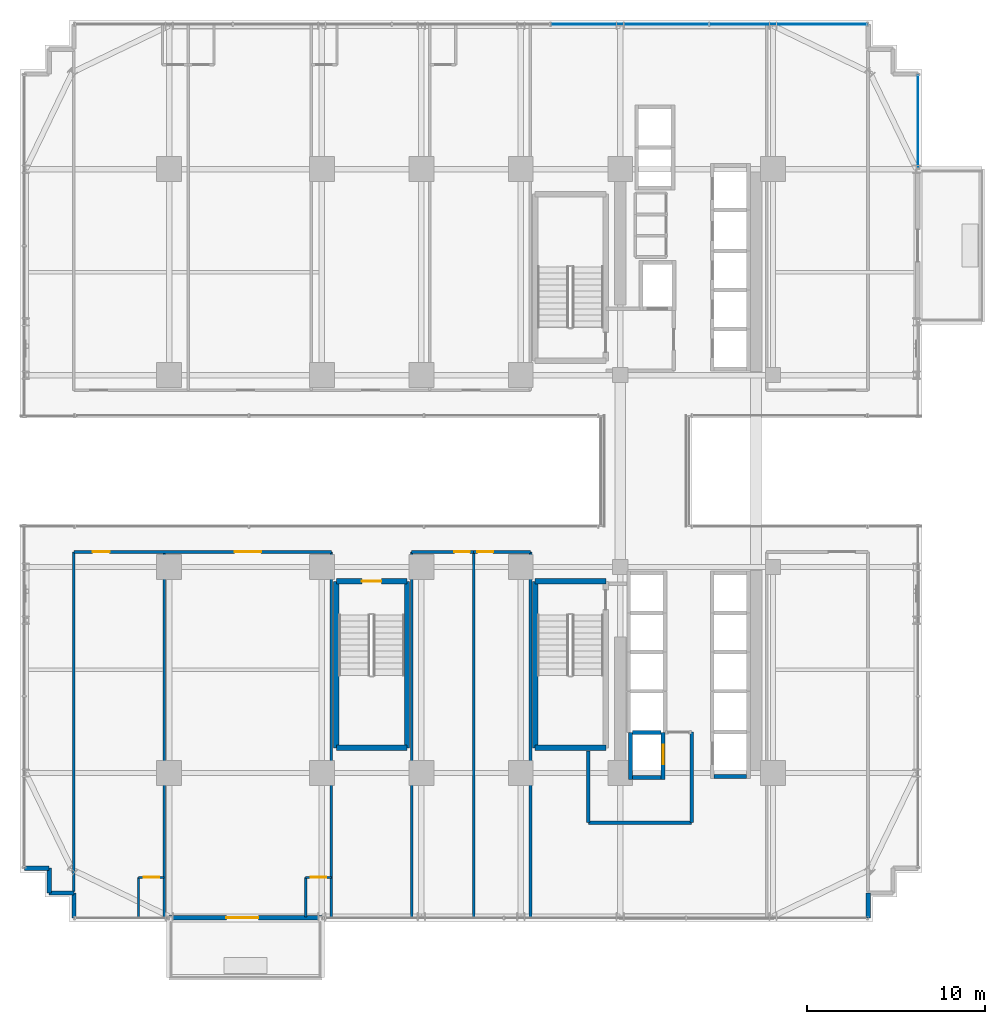
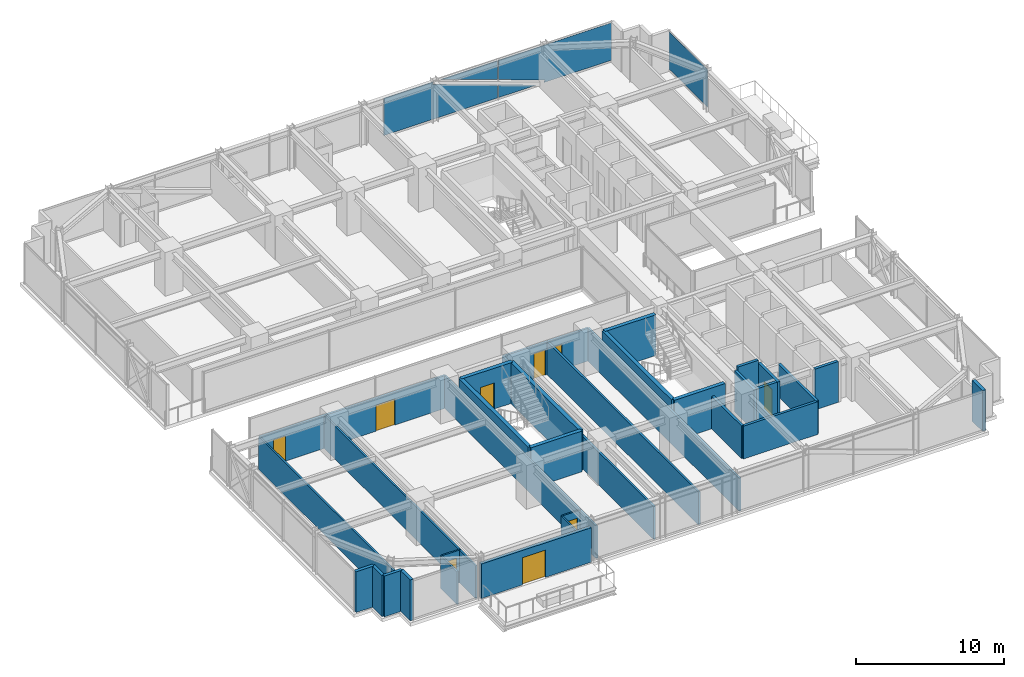
# One storey, part 29 of 35: 34 walls, 9 doors, 3 plates, 9 openings, 2 elements without a shape of their own.
"""IFC4 building model written with IfcOpenShell, lengths in metres."""

from ifc_helpers import new_model, si_unit, direction, frame, frame_2d, origin, origin_2d, place, context, subcontext, project, spatial, polyline, rectangle, outline, extrude, source, transform, mapped, material, layer, layer_set, type_object, element, fill, aggregate, save


model = new_model("IFC4")

# Units and contexts
model_context = context("Model", 3, precision=1e-05, world=origin(), true_north=direction((0.0, 1.0)))
body_context = subcontext(model_context, "Body", "Model", "MODEL_VIEW")
ifc_project = project(units=[si_unit("LENGTHUNIT", "METRE"), si_unit("AREAUNIT", "SQUARE_METRE"), si_unit("VOLUMEUNIT", "CUBIC_METRE"), si_unit("PLANEANGLEUNIT", "RADIAN"), si_unit("MASSUNIT", "GRAM", prefix="KILO")], contexts=[model_context])

# Site, building, storey
site_placement = place(None, origin())
site = spatial("IfcSite", under=ifc_project, at=site_placement, CompositionType="ELEMENT")
building_placement = place(site_placement, origin())
building = spatial("IfcBuilding", under=site, at=building_placement, Name="Nahalor Promenade Grand Hotel", CompositionType="ELEMENT")
storey_placement = place(building_placement, frame((0.0, 0.0, 43.35009765625)))
storey = spatial("IfcBuildingStorey", under=building, at=storey_placement, Name="L09", CompositionType="ELEMENT", Elevation=43.35009765625)

# Curtain wall, plates
ifc_material_1 = material(Name="Anodised Bronze Aluminium EN AW-6063 T6", Category="aluminium")
curtain_wall_type = type_object("IfcCurtainWallType", Name="CW3 Elliptical-Void Collar Unitised Curtain Wall", PredefinedType="USERDEFINED", material=ifc_material_1)
curtain_wall_1_placement = place(storey_placement, origin())
curtain_wall_1 = element("IfcCurtainWall", 1, at=curtain_wall_1_placement, inside=storey, type_object=curtain_wall_type, Name="L09 Curtain Wall CW-L09-N-1", ObjectType="UNITISED_CURTAIN_WALL", PredefinedType="USERDEFINED")
ifc_material_2 = material(Name="Low-E Laminated Solar Glass", Category="glass")
ifc_layer_1 = layer(ifc_material_2, 0.030029296875)
ifc_layer_set_1 = layer_set([ifc_layer_1], Name="Low-E Laminated Solar Glass")
plate_type = type_object("IfcPlateType", Name="CWP3 High-Wind Laminated Bronze IGU 30mm", PredefinedType="CURTAIN_PANEL", material=ifc_layer_set_1)
plate_1_placement = place(storey_placement, frame((8.944091796875, 25.159912109375, 0.1396484375), z_axis=(0.0, 0.0, 1.0), x_axis=(1.0, 0.0, 0.0)))
plate_1 = element("IfcPlate", 2, at=plate_1_placement, type_object=plate_type, Name="CW-L09-N-1 Glazing Panel 3-0", PredefinedType="CURTAIN_PANEL", context=body_context, shape_type="SweptSolid", body=[
    extrude(outline(polyline([(-4.43701171875, 0.0), (4.43701171875, 0.0), (4.43701171875, 1.089599609375), (-0.634765625, 2.900146484375), (-0.56689453125, 3.090087890625), (-4.43701171875, 3.090087890625), (-4.43701171875, 0.0)])), frame((0.0, 0.01513671875, 0.0), z_axis=(0.0, -1.0, 0.0), x_axis=(1.0, 0.0, 0.0)), (0.0, 0.0, 1.0), 0.030029296875),
    extrude(outline(polyline([(4.43701171875, 1.51416015625), (4.43701171875, 3.090087890625), (0.02294921875, 3.090087890625), (4.43701171875, 1.51416015625)])), frame((0.0, 0.01513671875, 0.0), z_axis=(0.0, -1.0, 0.0), x_axis=(1.0, 0.0, 0.0)), (0.0, 0.0, 1.0), 0.030029296875),
])
plate_2_placement = place(storey_placement, frame((17.87060546875, 25.159912109375, 0.1396484375), z_axis=(0.0, 0.0, 1.0), x_axis=(1.0, 0.0, 0.0)))
plate_2 = element("IfcPlate", 3, at=plate_2_placement, type_object=plate_type, Name="CW-L09-N-1 Glazing Panel 4-0", PredefinedType="CURTAIN_PANEL", context=body_context, shape_type="SweptSolid", body=[
    extrude(outline(polyline([(4.41943359375, 3.090087890625), (-4.41943359375, 3.090087890625), (-4.41943359375, 1.4892578125), (-0.77978515625, 0.18994140625), (-0.847412109375, 0.0), (4.41943359375, 0.0), (4.41943359375, 3.090087890625)])), frame((0.0, 0.01513671875, 0.0), z_axis=(0.0, -1.0, 0.0), x_axis=(1.0, 0.0, 0.0)), (0.0, 0.0, 1.0), 0.030029296875),
    extrude(outline(polyline([(-4.41943359375, 1.064453125), (-4.41943359375, 0.0), (-1.437255859375, 0.0), (-4.41943359375, 1.064453125)])), frame((0.0, 0.01513671875, 0.0), z_axis=(0.0, -1.0, 0.0), x_axis=(1.0, 0.0, 0.0)), (0.0, 0.0, 1.0), 0.030029296875),
])
aggregate(curtain_wall_1, [plate_1, plate_2])

# Curtain wall, plate
curtain_wall_2_placement = place(storey_placement, origin())
curtain_wall_2 = element("IfcCurtainWall", 4, at=curtain_wall_2_placement, inside=storey, type_object=curtain_wall_type, Name="L09 Curtain Wall CW-L09-E-4", ObjectType="UNITISED_CURTAIN_WALL", PredefinedType="USERDEFINED")
shared_shape_1 = source(origin(), body_context, "Body", "SweptSolid", [
    extrude(rectangle(XDim=5.219970703125, YDim=0.030029296875, at=origin_2d()), origin(), (0.0, 0.0, 1.0), 3.090087890625),
])
plate_3_placement = place(storey_placement, frame((25.159912109375, 19.679931640625, 0.1396484375), z_axis=(0.0, 0.0, 1.0), x_axis=(0.0, 1.0, 0.0)))
plate_3 = element("IfcPlate", 5, at=plate_3_placement, type_object=plate_type, Name="CW-L09-E-4 Glazing Panel 0-0", PredefinedType="CURTAIN_PANEL", context=body_context, shape_type="MappedRepresentation", body=[
    mapped(shared_shape_1, transform((0.0, 0.0, 0.0), scale=1.0)),
])
aggregate(curtain_wall_2, [plate_3])

# Walls
ifc_material_3 = material(Name="Concrete B-50 (C40/50)", Category="concrete")
ifc_layer_2 = layer(ifc_material_3, 0.300048828125)
ifc_layer_set_2 = layer_set([ifc_layer_2], Name="Concrete B-50 (C40/50)")
wall_type_1 = type_object("IfcWallType", Name="Wall-ShaftShear-300", PredefinedType="SHEAR", material=ifc_layer_set_2)
shared_shape_2 = source(origin(), body_context, "Body", "SweptSolid", [
    extrude(rectangle(XDim=3.97998046875, YDim=0.300048828125, at=frame_2d((1.989990234375, 0.0))), origin(), (0.0, 0.0, 1.0), 3.369873046875),
])
for number, where, z_axis, x_axis, name in (
    (6, (3.610107421875, -15.590087890625, 0.0), (0.0, 0.0, 1.0), (1.0, 0.0, 0.0), "L09 Exit Stair ST2 Shaft Wall S"),
    (7, (3.610107421875, -6.2099609375, 0.0), (0.0, 0.0, 1.0), (1.0, 0.0, 0.0), "L09 Exit Stair ST2 Shaft Wall N"),
    (8, (-7.590087890625, -15.590087890625, 0.0), (0.0, 0.0, 1.0), (1.0, 0.0, 0.0), "L09 Exit Stair ST3 Shaft Wall S"),
):
    element("IfcWall", number, at=place(storey_placement, frame(where, z_axis=z_axis, x_axis=x_axis)), inside=storey, type_object=wall_type_1, Name=name, PredefinedType="SHEAR", context=body_context, shape_type="MappedRepresentation", body=[
        mapped(shared_shape_2, transform((0.0, 0.0, 0.0), scale=1.0)),
    ])

# Wall, opening, door
wall_1_placement = place(storey_placement, frame((-7.590087890625, -6.2099609375, 0.0), z_axis=(0.0, 0.0, 1.0), x_axis=(1.0, 0.0, 0.0)))
wall_1 = element("IfcWall", 9, at=wall_1_placement, inside=storey, type_object=wall_type_1, Name="L09 Exit Stair ST3 Shaft Wall N", PredefinedType="SHEAR", context=body_context, shape_type="MappedRepresentation", body=[
    mapped(shared_shape_2, transform((0.0, 0.0, 0.0), scale=1.0)),
])
opening_1_placement = place(wall_1_placement, frame((1.43994140625, 0.0, 0.0)))
opening_1 = element("IfcOpeningElement", 10, at=opening_1_placement, cuts=wall_1, Name="Opening D-ST1", PredefinedType="OPENING", context=body_context, shape_type="SweptSolid", body=[
    extrude(rectangle(XDim=1.10009765625, YDim=2.14990234375, at=frame_2d((0.550048828125, 1.074951171875))), frame((0.0, 0.159912109375, 0.0), z_axis=(0.0, -1.0, 0.0), x_axis=(1.0, 0.0, 0.0)), (0.0, 0.0, 1.0), 0.320068359375),
])
ifc_material_4 = material(Name="Steel S355JR", Category="steel")
door_type_1 = type_object("IfcDoorType", Name="Door-StairFire-1100", OperationType="NOTDEFINED", PredefinedType="DOOR", material=ifc_material_4)
shared_shape_3 = source(origin(), body_context, "Body", "SweptSolid", [
    extrude(rectangle(XDim=1.10009765625, YDim=2.14990234375, at=frame_2d((0.550048828125, 1.074951171875))), frame((0.0, 0.02490234375, 0.0), z_axis=(0.0, -1.0, 0.0), x_axis=(1.0, 0.0, 0.0)), (0.0, 0.0, 1.0), 0.050048828125),
])
door_1_placement = place(opening_1_placement, frame((1.10009765625, 0.0, 0.0), z_axis=(0.0, 0.0, 1.0), x_axis=(-1.0, 0.0, 0.0)))
door_1 = element("IfcDoor", 11, at=door_1_placement, inside=storey, type_object=door_type_1, Name="DR-STAIR-ST3-L09", OperationType="SINGLE_SWING_RIGHT", OverallHeight=2.14990234375, OverallWidth=1.10009765625, PredefinedType="DOOR", context=body_context, shape_type="MappedRepresentation", body=[
    mapped(shared_shape_3, transform((0.0, 0.0, 0.0), scale=1.0)),
])
fill(opening_1, door_1)

# Walls
shared_shape_4 = source(origin(), body_context, "Body", "SweptSolid", [
    extrude(rectangle(XDim=9.380126953125, YDim=0.300048828125, at=frame_2d((4.68994140625, 0.0))), origin(), (0.0, 0.0, 1.0), 3.369873046875),
])
for number, where, z_axis, x_axis, name in (
    (12, (3.610107421875, -15.590087890625, 0.0), (0.0, 0.0, 1.0), (0.0, 1.0, 0.0), "L09 Exit Stair ST2 Shaft Wall W"),
    (13, (-7.590087890625, -15.590087890625, 0.0), (0.0, 0.0, 1.0), (0.0, 1.0, 0.0), "L09 Exit Stair ST3 Shaft Wall W"),
    (14, (-3.610107421875, -15.590087890625, 0.0), (0.0, 0.0, 1.0), (0.0, 1.0, 0.0), "L09 Exit Stair ST3 Shaft Wall E"),
):
    element("IfcWall", number, at=place(storey_placement, frame(where, z_axis=z_axis, x_axis=x_axis)), inside=storey, type_object=wall_type_1, Name=name, PredefinedType="SHEAR", context=body_context, shape_type="MappedRepresentation", body=[
        mapped(shared_shape_4, transform((0.0, 0.0, 0.0), scale=1.0)),
    ])
ifc_layer_3 = layer(ifc_material_3, 0.219970703125)
ifc_layer_set_3 = layer_set([ifc_layer_3], Name="Concrete B-50 (C40/50)")
wall_type_2 = type_object("IfcWallType", Name="Wall-LiftShaft-220", PredefinedType="SHEAR", material=ifc_layer_set_3)
shared_shape_5 = source(origin(), body_context, "Body", "SweptSolid", [
    extrude(rectangle(XDim=1.820068359375, YDim=0.219970703125, at=frame_2d((0.91015625, 0.0))), origin(), (0.0, 0.0, 1.0), 3.369873046875),
])
wall_2_placement = place(storey_placement, frame((13.68994140625, -17.199951171875, 0.0), z_axis=(0.0, 0.0, 1.0), x_axis=(1.0, 0.0, 0.0)))
element("IfcWall", 15, at=wall_2_placement, inside=storey, type_object=wall_type_2, Name="L09 Lift SV2 Hoistway Wall S", PredefinedType="SHEAR", context=body_context, shape_type="MappedRepresentation", body=[
    mapped(shared_shape_5, transform((0.0, 0.0, 0.0), scale=1.0)),
])
shared_shape_6 = source(origin(), body_context, "Body", "SweptSolid", [
    extrude(rectangle(XDim=2.635009765625, YDim=0.219970703125, at=frame_2d((1.3173828125, 0.0))), origin(), (0.0, 0.0, 1.0), 3.369873046875),
])
wall_3_placement = place(storey_placement, frame((8.97998046875, -17.360107421875, 0.0), z_axis=(0.0, 0.0, 1.0), x_axis=(0.0, 1.0, 0.0)))
element("IfcWall", 16, at=wall_3_placement, inside=storey, type_object=wall_type_2, Name="L09 Lift FL2 Hoistway Wall W", PredefinedType="SHEAR", context=body_context, shape_type="MappedRepresentation", body=[
    mapped(shared_shape_6, transform((0.0, 0.0, 0.0), scale=1.0)),
])

# Wall, opening, door
wall_4_placement = place(storey_placement, frame((10.820068359375, -17.360107421875, 0.0), z_axis=(0.0, 0.0, 1.0), x_axis=(0.0, 1.0, 0.0)))
wall_4 = element("IfcWall", 17, at=wall_4_placement, inside=storey, type_object=wall_type_2, Name="L09 Lift FL2 Hoistway Wall E", PredefinedType="SHEAR", context=body_context, shape_type="MappedRepresentation", body=[
    mapped(shared_shape_6, transform((0.0, 0.0, 0.0), scale=1.0)),
])
opening_2_placement = place(wall_4_placement, frame((0.860107421875, 0.0, 0.0)))
opening_2 = element("IfcOpeningElement", 18, at=opening_2_placement, cuts=wall_4, Name="Opening LD-02", PredefinedType="OPENING", context=body_context, shape_type="SweptSolid", body=[
    extrude(rectangle(XDim=1.10009765625, YDim=2.199951171875, at=frame_2d((0.550048828125, 1.10009765625))), frame((0.0, 0.119873046875, 0.0), z_axis=(0.0, -1.0, 0.0), x_axis=(1.0, 0.0, 0.0)), (0.0, 0.0, 1.0), 0.239990234375),
])
door_type_2 = type_object("IfcDoorType", Name="Door-LiftFF-1100", OperationType="DOUBLE_DOOR_SLIDING", PredefinedType="DOOR", material=ifc_material_4)
shared_shape_7 = source(origin(), body_context, "Body", "SweptSolid", [
    extrude(rectangle(XDim=1.10009765625, YDim=2.199951171875, at=frame_2d((0.550048828125, 1.10009765625))), frame((0.0, 0.02490234375, 0.0), z_axis=(0.0, -1.0, 0.0), x_axis=(1.0, 0.0, 0.0)), (0.0, 0.0, 1.0), 0.050048828125),
])
door_2_placement = place(opening_2_placement, frame((1.10009765625, 0.0, 0.0), z_axis=(0.0, 0.0, 1.0), x_axis=(-1.0, 0.0, 0.0)))
door_2 = element("IfcDoor", 19, at=door_2_placement, inside=storey, type_object=door_type_2, Name="DR-LIFT-FL2-L09", OperationType="DOUBLE_DOOR_SLIDING", OverallHeight=2.199951171875, OverallWidth=1.10009765625, PredefinedType="DOOR", context=body_context, shape_type="MappedRepresentation", body=[
    mapped(shared_shape_7, transform((0.0, 0.0, 0.0), scale=1.0)),
])
fill(opening_2, door_2)

# Walls
shared_shape_8 = source(origin(), body_context, "Body", "SweptSolid", [
    extrude(rectangle(XDim=1.619873046875, YDim=0.219970703125, at=frame_2d((0.81005859375, 0.0))), origin(), (0.0, 0.0, 1.0), 3.369873046875),
])
wall_5_placement = place(storey_placement, frame((9.090087890625, -17.25, 0.0), z_axis=(0.0, 0.0, 1.0), x_axis=(1.0, 0.0, 0.0)))
element("IfcWall", 20, at=wall_5_placement, inside=storey, type_object=wall_type_2, Name="L09 Lift FL2 Hoistway Wall S", PredefinedType="SHEAR", context=body_context, shape_type="MappedRepresentation", body=[
    mapped(shared_shape_8, transform((0.0, 0.0, 0.0), scale=1.0)),
])
shared_shape_9 = source(origin(), body_context, "Body", "SweptSolid", [
    extrude(rectangle(XDim=1.619873046875, YDim=0.219970703125, at=frame_2d((0.81005859375, 0.0))), origin(), (0.0, 0.0, 1.0), 3.64990234375),
])
wall_6_placement = place(storey_placement, frame((9.090087890625, -14.72509765625, 0.0), z_axis=(0.0, 0.0, 1.0), x_axis=(1.0, 0.0, 0.0)))
element("IfcWall", 21, at=wall_6_placement, inside=storey, type_object=wall_type_2, Name="L09 Lift FL2 Hoistway Wall N", PredefinedType="SHEAR", context=body_context, shape_type="MappedRepresentation", body=[
    mapped(shared_shape_9, transform((0.0, 0.0, 0.0), scale=1.0)),
])
ifc_material_5 = material(Name="Concrete B-40 (C32/40)", Category="concrete")
ifc_layer_4 = layer(ifc_material_5, 0.25)
ifc_layer_set_4 = layer_set([ifc_layer_4], Name="Concrete B-40 (C32/40)")
wall_type_3 = type_object("IfcWallType", Name="Wall-BronzePier-250", PredefinedType="STANDARD", material=ifc_layer_set_4)
shared_shape_10 = source(origin(), body_context, "Body", "SweptSolid", [
    extrude(rectangle(XDim=1.39990234375, YDim=0.25, at=frame_2d((0.699951171875, 0.0))), origin(), (0.0, 0.0, 1.0), 3.369873046875),
])
for number, where, z_axis, x_axis, name in (
    (22, (22.360107421875, -25.159912109375, 0.0), (0.0, 0.0, 1.0), (0.0, 1.0, 0.0), "W-L09-SR-01"),
    (23, (-25.159912109375, -22.360107421875, 0.0), (0.0, 0.0, 1.0), (1.0, 0.0, 0.0), "W-L09-SR-13"),
    (24, (-23.760009765625, -23.760009765625, 0.0), (0.0, 0.0, 1.0), (0.0, 1.0, 0.0), "W-L09-SR-14"),
    (25, (-23.760009765625, -23.760009765625, 0.0), (0.0, 0.0, 1.0), (1.0, 0.0, 0.0), "W-L09-SR-15"),
    (26, (-22.360107421875, -25.159912109375, 0.0), (0.0, 0.0, 1.0), (0.0, 1.0, 0.0), "W-L09-SR-16"),
):
    element("IfcWall", number, at=place(storey_placement, frame(where, z_axis=z_axis, x_axis=x_axis)), inside=storey, type_object=wall_type_3, Name=name, PredefinedType="STANDARD", context=body_context, shape_type="MappedRepresentation", body=[
        mapped(shared_shape_10, transform((0.0, 0.0, 0.0), scale=1.0)),
    ])

# Wall, opening, door
ifc_layer_5 = layer(ifc_material_5, 0.260009765625)
ifc_layer_set_5 = layer_set([ifc_layer_5], Name="Concrete B-40 (C32/40)")
wall_type_4 = type_object("IfcWallType", Name="Wall-BalconyWall-260", PredefinedType="STANDARD", material=ifc_layer_set_5)
shared_shape_11 = source(origin(), body_context, "Body", "SweptSolid", [
    extrude(rectangle(XDim=8.60009765625, YDim=0.260009765625, at=frame_2d((4.300048828125, 0.0))), origin(), (0.0, 0.0, 1.0), 2.849853515625),
])
wall_7_placement = place(storey_placement, frame((-17.0, -25.159912109375, 0.0), z_axis=(0.0, 0.0, 1.0), x_axis=(1.0, 0.0, 0.0)))
wall_7 = element("IfcWall", 27, at=wall_7_placement, inside=storey, type_object=wall_type_4, Name="W-L09-BALC-S-2", PredefinedType="STANDARD", context=body_context, shape_type="MappedRepresentation", body=[
    mapped(shared_shape_11, transform((0.0, 0.0, 0.0), scale=1.0)),
])
opening_3_placement = place(wall_7_placement, frame((3.219970703125, 0.0, 0.0)))
opening_3 = element("IfcOpeningElement", 28, at=opening_3_placement, cuts=wall_7, Name="Opening D-BC1", PredefinedType="OPENING", context=body_context, shape_type="SweptSolid", body=[
    extrude(rectangle(XDim=1.800048828125, YDim=2.25, at=frame_2d((0.89990234375, 1.125))), frame((0.0, 0.139892578125, 0.0), z_axis=(0.0, -1.0, 0.0), x_axis=(1.0, 0.0, 0.0)), (0.0, 0.0, 1.0), 0.280029296875),
])
door_type_3 = type_object("IfcDoorType", Name="Door-BalconySlide-1800", OperationType="DOUBLE_DOOR_SLIDING", PredefinedType="DOOR", material=ifc_material_1)
shared_shape_12 = source(origin(), body_context, "Body", "SweptSolid", [
    extrude(rectangle(XDim=1.800048828125, YDim=2.25, at=frame_2d((0.89990234375, 1.125))), frame((0.0, 0.02490234375, 0.0), z_axis=(0.0, -1.0, 0.0), x_axis=(1.0, 0.0, 0.0)), (0.0, 0.0, 1.0), 0.050048828125),
])
door_3_placement = place(opening_3_placement, frame((1.800048828125, 0.0, 0.0), z_axis=(0.0, 0.0, 1.0), x_axis=(-1.0, 0.0, 0.0)))
door_3 = element("IfcDoor", 29, at=door_3_placement, inside=storey, type_object=door_type_3, Name="DR-L09-BALC-S-2", OperationType="DOUBLE_DOOR_SLIDING", OverallHeight=2.25, OverallWidth=1.800048828125, PredefinedType="DOOR", context=body_context, shape_type="MappedRepresentation", body=[
    mapped(shared_shape_12, transform((0.0, 0.0, 0.0), scale=1.0)),
])
fill(opening_3, door_3)

# Walls
ifc_layer_6 = layer(ifc_material_5, 0.199951171875)
ifc_layer_set_6 = layer_set([ifc_layer_6], Name="Concrete B-40 (C32/40)")
wall_type_5 = type_object("IfcWallType", Name="Wall-PartFire-200", PredefinedType="PARTITIONING", material=ifc_layer_set_6)
shared_shape_13 = source(origin(), body_context, "Body", "SweptSolid", [
    extrude(rectangle(XDim=5.81982421875, YDim=0.199951171875, at=frame_2d((2.909912109375, 0.0))), origin(), (0.0, 0.0, 1.0), 2.7099609375),
])
wall_8_placement = place(storey_placement, frame((6.60009765625, -19.800048828125, 0.0), z_axis=(0.0, 0.0, 1.0), x_axis=(1.0, 0.0, 0.0)))
element("IfcWall", 30, at=wall_8_placement, inside=storey, type_object=wall_type_5, Name="W-L09-FF2-S1", PredefinedType="PARTITIONING", context=body_context, shape_type="MappedRepresentation", body=[
    mapped(shared_shape_13, transform((0.0, 0.0, 0.0), scale=1.0)),
])
shared_shape_14 = source(origin(), body_context, "Body", "SweptSolid", [
    extrude(rectangle(XDim=4.030029296875, YDim=0.199951171875, at=frame_2d((2.01513671875, 0.0))), origin(), (0.0, 0.0, 1.0), 2.7099609375),
])
wall_9_placement = place(storey_placement, frame((6.60009765625, -19.800048828125, 0.0), z_axis=(0.0, 0.0, 1.0), x_axis=(0.0, 1.0, 0.0)))
element("IfcWall", 31, at=wall_9_placement, inside=storey, type_object=wall_type_5, Name="W-L09-FF2-W1", PredefinedType="PARTITIONING", context=body_context, shape_type="MappedRepresentation", body=[
    mapped(shared_shape_14, transform((0.0, 0.0, 0.0), scale=1.0)),
])
shared_shape_15 = source(origin(), body_context, "Body", "SweptSolid", [
    extrude(rectangle(XDim=5.10009765625, YDim=0.199951171875, at=frame_2d((2.550048828125, 0.0))), origin(), (0.0, 0.0, 1.0), 2.7099609375),
])
wall_10_placement = place(storey_placement, frame((12.419921875, -19.800048828125, 0.0), z_axis=(0.0, 0.0, 1.0), x_axis=(0.0, 1.0, 0.0)))
element("IfcWall", 32, at=wall_10_placement, inside=storey, type_object=wall_type_5, Name="W-L09-FF2-E", PredefinedType="PARTITIONING", context=body_context, shape_type="MappedRepresentation", body=[
    mapped(shared_shape_15, transform((0.0, 0.0, 0.0), scale=1.0)),
])
ifc_material_6 = material(Name="Acoustic Mineral Gypsum", Category="gypsum")
ifc_layer_7 = layer(ifc_material_6, 0.159912109375)
ifc_layer_set_7 = layer_set([ifc_layer_7], Name="Acoustic Mineral Gypsum")
wall_type_6 = type_object("IfcWallType", Name="Wall-PartCorridor-160", PredefinedType="PARTITIONING", material=ifc_layer_set_7)
shared_shape_16 = source(origin(), body_context, "Body", "SweptSolid", [
    extrude(rectangle(XDim=20.550048828125, YDim=0.159912109375, at=frame_2d((10.27490234375, 0.0))), origin(), (0.0, 0.0, 1.0), 2.7099609375),
])
for number, where, z_axis, x_axis, name in (
    (33, (-3.340087890625, -25.10009765625, 0.0), (0.0, 0.0, 1.0), (0.0, 1.0, 0.0), "W-L09-SCB1-W"),
    (34, (0.14990234375, -25.10009765625, 0.0), (0.0, 0.0, 1.0), (0.0, 1.0, 0.0), "W-L09-SCB1-E"),
    (35, (3.340087890625, -25.10009765625, 0.0), (0.0, 0.0, 1.0), (0.0, 1.0, 0.0), "W-L09-SCB2-E"),
):
    element("IfcWall", number, at=place(storey_placement, frame(where, z_axis=z_axis, x_axis=x_axis)), inside=storey, type_object=wall_type_6, Name=name, PredefinedType="PARTITIONING", context=body_context, shape_type="MappedRepresentation", body=[
        mapped(shared_shape_16, transform((0.0, 0.0, 0.0), scale=1.0)),
    ])
ifc_layer_8 = layer(ifc_material_6, 0.139892578125)
ifc_layer_set_8 = layer_set([ifc_layer_8], Name="Acoustic Mineral Gypsum")
wall_type_7 = type_object("IfcWallType", Name="Wall-PartSuite-140", PredefinedType="PARTITIONING", material=ifc_layer_set_8)
shared_shape_17 = source(origin(), body_context, "Body", "SweptSolid", [
    extrude(rectangle(XDim=19.1298828125, YDim=0.139892578125, at=frame_2d((9.56494140625, 0.0))), origin(), (0.0, 0.0, 1.0), 2.7099609375),
])
wall_11_placement = place(storey_placement, frame((-22.360107421875, -23.679931640625, 0.0), z_axis=(0.0, 0.0, 1.0), x_axis=(0.0, 1.0, 0.0)))
element("IfcWall", 36, at=wall_11_placement, inside=storey, type_object=wall_type_7, Name="W-L09-SW-ENDW", PredefinedType="PARTITIONING", context=body_context, shape_type="MappedRepresentation", body=[
    mapped(shared_shape_17, transform((0.0, 0.0, 0.0), scale=1.0)),
])
shared_shape_18 = source(origin(), body_context, "Body", "SweptSolid", [
    extrude(rectangle(XDim=20.550048828125, YDim=0.139892578125, at=frame_2d((10.27490234375, 0.0))), origin(), (0.0, 0.0, 1.0), 2.7099609375),
])
for number, where, z_axis, x_axis, name in (
    (37, (-7.860107421875, -25.10009765625, 0.0), (0.0, 0.0, 1.0), (0.0, 1.0, 0.0), "W-L09-SW-ENDE"),
    (38, (-17.280029296875, -25.10009765625, 0.0), (0.0, 0.0, 1.0), (0.0, 1.0, 0.0), "W-L09-SP-1"),
):
    element("IfcWall", number, at=place(storey_placement, frame(where, z_axis=z_axis, x_axis=x_axis)), inside=storey, type_object=wall_type_7, Name=name, PredefinedType="PARTITIONING", context=body_context, shape_type="MappedRepresentation", body=[
        mapped(shared_shape_18, transform((0.0, 0.0, 0.0), scale=1.0)),
    ])
ifc_layer_9 = layer(ifc_material_6, 0.1201171875)
ifc_layer_set_9 = layer_set([ifc_layer_9], Name="Acoustic Mineral Gypsum")
wall_type_8 = type_object("IfcWallType", Name="Wall-PartBath-120", PredefinedType="PARTITIONING", material=ifc_layer_set_9)
shared_shape_19 = source(origin(), body_context, "Body", "SweptSolid", [
    extrude(rectangle(XDim=2.22021484375, YDim=0.1201171875, at=frame_2d((1.110107421875, 0.0))), origin(), (0.0, 0.0, 1.0), 2.7099609375),
])
for number, where, z_axis, x_axis, name in (
    (39, (-18.72998046875, -25.10009765625, 0.0), (0.0, 0.0, 1.0), (0.0, 1.0, 0.0), "W-L09-S1-BV"),
    (40, (-9.31005859375, -25.10009765625, 0.0), (0.0, 0.0, 1.0), (0.0, 1.0, 0.0), "W-L09-S2-BV"),
):
    element("IfcWall", number, at=place(storey_placement, frame(where, z_axis=z_axis, x_axis=x_axis)), inside=storey, type_object=wall_type_8, Name=name, PredefinedType="PARTITIONING", context=body_context, shape_type="MappedRepresentation", body=[
        mapped(shared_shape_19, transform((0.0, 0.0, 0.0), scale=1.0)),
    ])

# Wall, opening, door
shared_shape_20 = source(origin(), body_context, "Body", "SweptSolid", [
    extrude(rectangle(XDim=1.449951171875, YDim=0.1201171875, at=frame_2d((0.72509765625, 0.0))), origin(), (0.0, 0.0, 1.0), 2.7099609375),
])
wall_12_placement = place(storey_placement, frame((-18.72998046875, -22.8798828125, 0.0), z_axis=(0.0, 0.0, 1.0), x_axis=(1.0, 0.0, 0.0)))
wall_12 = element("IfcWall", 41, at=wall_12_placement, inside=storey, type_object=wall_type_8, Name="W-L09-S1-BH", PredefinedType="PARTITIONING", context=body_context, shape_type="MappedRepresentation", body=[
    mapped(shared_shape_20, transform((0.0, 0.0, 0.0), scale=1.0)),
])
opening_4_placement = place(wall_12_placement, frame((0.284912109375, 0.0, 0.0)))
opening_4 = element("IfcOpeningElement", 42, at=opening_4_placement, cuts=wall_12, Name="Opening D-03", PredefinedType="OPENING", context=body_context, shape_type="SweptSolid", body=[
    extrude(rectangle(XDim=0.8798828125, YDim=2.10009765625, at=frame_2d((0.43994140625, 1.050048828125))), frame((0.0, 0.070068359375, 0.0), z_axis=(0.0, -1.0, 0.0), x_axis=(1.0, 0.0, 0.0)), (0.0, 0.0, 1.0), 0.14013671875),
])
ifc_material_7 = material(Name="Fire-Rated Timber Composite", Category="wood")
door_type_4 = type_object("IfcDoorType", Name="Door-BathSwing-880", OperationType="NOTDEFINED", PredefinedType="DOOR", material=ifc_material_7)
shared_shape_21 = source(origin(), body_context, "Body", "SweptSolid", [
    extrude(rectangle(XDim=0.8798828125, YDim=2.10009765625, at=frame_2d((0.43994140625, 1.050048828125))), frame((0.0, 0.02490234375, 0.0), z_axis=(0.0, -1.0, 0.0), x_axis=(1.0, 0.0, 0.0)), (0.0, 0.0, 1.0), 0.050048828125),
])
door_4_placement = place(opening_4_placement, frame((0.8798828125, 0.0, 0.0), z_axis=(0.0, 0.0, 1.0), x_axis=(-1.0, 0.0, 0.0)))
door_4 = element("IfcDoor", 43, at=door_4_placement, inside=storey, type_object=door_type_4, Name="DR-L09-S1-BATH", OperationType="SINGLE_SWING_LEFT", OverallHeight=2.10009765625, OverallWidth=0.8798828125, PredefinedType="DOOR", context=body_context, shape_type="MappedRepresentation", body=[
    mapped(shared_shape_21, transform((0.0, 0.0, 0.0), scale=1.0)),
])
fill(opening_4, door_4)

wall_13_placement = place(storey_placement, frame((-9.31005859375, -22.8798828125, 0.0), z_axis=(0.0, 0.0, 1.0), x_axis=(1.0, 0.0, 0.0)))
wall_13 = element("IfcWall", 44, at=wall_13_placement, inside=storey, type_object=wall_type_8, Name="W-L09-S2-BH", PredefinedType="PARTITIONING", context=body_context, shape_type="MappedRepresentation", body=[
    mapped(shared_shape_20, transform((0.0, 0.0, 0.0), scale=1.0)),
])
opening_5_placement = place(wall_13_placement, frame((0.284912109375, 0.0, 0.0)))
opening_5 = element("IfcOpeningElement", 45, at=opening_5_placement, cuts=wall_13, Name="Opening D-03", PredefinedType="OPENING", context=body_context, shape_type="SweptSolid", body=[
    extrude(rectangle(XDim=0.8798828125, YDim=2.10009765625, at=frame_2d((0.43994140625, 1.050048828125))), frame((0.0, 0.070068359375, 0.0), z_axis=(0.0, -1.0, 0.0), x_axis=(1.0, 0.0, 0.0)), (0.0, 0.0, 1.0), 0.14013671875),
])
door_5_placement = place(opening_5_placement, frame((0.8798828125, 0.0, 0.0), z_axis=(0.0, 0.0, 1.0), x_axis=(-1.0, 0.0, 0.0)))
door_5 = element("IfcDoor", 46, at=door_5_placement, inside=storey, type_object=door_type_4, Name="DR-L09-S2-BATH", OperationType="SINGLE_SWING_LEFT", OverallHeight=2.10009765625, OverallWidth=0.8798828125, PredefinedType="DOOR", context=body_context, shape_type="MappedRepresentation", body=[
    mapped(shared_shape_21, transform((0.0, 0.0, 0.0), scale=1.0)),
])
fill(opening_5, door_5)

# Wall, openings, doors
shared_shape_22 = source(origin(), body_context, "Body", "SweptSolid", [
    extrude(rectangle(XDim=14.5, YDim=0.159912109375, at=frame_2d((7.25, 0.0))), origin(), (0.0, 0.0, 1.0), 2.7099609375),
])
wall_14_placement = place(storey_placement, frame((-22.360107421875, -4.550048828125, 0.0), z_axis=(0.0, 0.0, 1.0), x_axis=(1.0, 0.0, 0.0)))
wall_14 = element("IfcWall", 47, at=wall_14_placement, inside=storey, type_object=wall_type_6, Name="W-L09-CORR-S", PredefinedType="PARTITIONING", context=body_context, shape_type="MappedRepresentation", body=[
    mapped(shared_shape_22, transform((0.0, 0.0, 0.0), scale=1.0)),
])
opening_6_placement = place(wall_14_placement, frame((1.054931640625, 0.0, 0.0)))
opening_6 = element("IfcOpeningElement", 48, at=opening_6_placement, cuts=wall_14, Name="Opening D-01", PredefinedType="OPENING", context=body_context, shape_type="SweptSolid", body=[
    extrude(rectangle(XDim=0.949951171875, YDim=2.10009765625, at=frame_2d((0.47509765625, 1.050048828125))), frame((0.0, 0.08984375, 0.0), z_axis=(0.0, -1.0, 0.0), x_axis=(1.0, 0.0, 0.0)), (0.0, 0.0, 1.0), 0.179931640625),
])
opening_7_placement = place(wall_14_placement, frame((9.0400390625, 0.0, 0.0)))
opening_7 = element("IfcOpeningElement", 49, at=opening_7_placement, cuts=wall_14, Name="Opening D-02", PredefinedType="OPENING", context=body_context, shape_type="SweptSolid", body=[
    extrude(rectangle(XDim=1.5, YDim=2.14990234375, at=frame_2d((0.75, 1.074951171875))), frame((0.0, 0.08984375, 0.0), z_axis=(0.0, -1.0, 0.0), x_axis=(1.0, 0.0, 0.0)), (0.0, 0.0, 1.0), 0.179931640625),
])
door_type_5 = type_object("IfcDoorType", Name="Door-SuiteDouble-1500", OperationType="DOUBLE_DOOR_SINGLE_SWING", PredefinedType="DOOR", material=ifc_material_7)
shared_shape_23 = source(origin(), body_context, "Body", "SweptSolid", [
    extrude(rectangle(XDim=1.5, YDim=2.14990234375, at=frame_2d((0.75, 1.074951171875))), frame((0.0, 0.02490234375, 0.0), z_axis=(0.0, -1.0, 0.0), x_axis=(1.0, 0.0, 0.0)), (0.0, 0.0, 1.0), 0.050048828125),
])
door_6_placement = place(opening_7_placement, frame((1.5, 0.0, 0.0), z_axis=(0.0, 0.0, 1.0), x_axis=(-1.0, 0.0, 0.0)))
door_6 = element("IfcDoor", 50, at=door_6_placement, inside=storey, type_object=door_type_5, Name="DR-L09-S2-ENT", OperationType="DOUBLE_DOOR_SINGLE_SWING", OverallHeight=2.14990234375, OverallWidth=1.5, PredefinedType="DOOR", context=body_context, shape_type="MappedRepresentation", body=[
    mapped(shared_shape_23, transform((0.0, 0.0, 0.0), scale=1.0)),
])
fill(opening_7, door_6)
door_type_6 = type_object("IfcDoorType", Name="Door-GuestEntry-950", OperationType="NOTDEFINED", PredefinedType="DOOR", material=ifc_material_7)
shared_shape_24 = source(origin(), body_context, "Body", "SweptSolid", [
    extrude(rectangle(XDim=0.949951171875, YDim=2.10009765625, at=frame_2d((0.47509765625, 1.050048828125))), frame((0.0, 0.02490234375, 0.0), z_axis=(0.0, -1.0, 0.0), x_axis=(1.0, 0.0, 0.0)), (0.0, 0.0, 1.0), 0.050048828125),
])
door_7_placement = place(opening_6_placement, frame((0.949951171875, 0.0, 0.0), z_axis=(0.0, 0.0, 1.0), x_axis=(-1.0, 0.0, 0.0)))
door_7 = element("IfcDoor", 51, at=door_7_placement, inside=storey, type_object=door_type_6, Name="DR-L09-S1-ENT", OperationType="SINGLE_SWING_RIGHT", OverallHeight=2.10009765625, OverallWidth=0.949951171875, PredefinedType="DOOR", context=body_context, shape_type="MappedRepresentation", body=[
    mapped(shared_shape_24, transform((0.0, 0.0, 0.0), scale=1.0)),
])
fill(opening_6, door_7)

# Wall, opening, door
shared_shape_25 = source(origin(), body_context, "Body", "SweptSolid", [
    extrude(rectangle(XDim=3.489990234375, YDim=0.159912109375, at=frame_2d((1.7451171875, 0.0))), origin(), (0.0, 0.0, 1.0), 2.7099609375),
])
wall_15_placement = place(storey_placement, frame((-3.340087890625, -4.550048828125, 0.0), z_axis=(0.0, 0.0, 1.0), x_axis=(1.0, 0.0, 0.0)))
wall_15 = element("IfcWall", 52, at=wall_15_placement, inside=storey, type_object=wall_type_6, Name="W-L09-SCB1-N", PredefinedType="PARTITIONING", context=body_context, shape_type="MappedRepresentation", body=[
    mapped(shared_shape_25, transform((0.0, 0.0, 0.0), scale=1.0)),
])
opening_8_placement = place(wall_15_placement, frame((2.39990234375, 0.0, 0.0)))
opening_8 = element("IfcOpeningElement", 53, at=opening_8_placement, cuts=wall_15, Name="Opening D-03", PredefinedType="OPENING", context=body_context, shape_type="SweptSolid", body=[
    extrude(rectangle(XDim=0.8798828125, YDim=2.10009765625, at=frame_2d((0.43994140625, 1.050048828125))), frame((0.0, 0.08984375, 0.0), z_axis=(0.0, -1.0, 0.0), x_axis=(1.0, 0.0, 0.0)), (0.0, 0.0, 1.0), 0.179931640625),
])
door_8_placement = place(opening_8_placement, frame((0.8798828125, 0.0, 0.0), z_axis=(0.0, 0.0, 1.0), x_axis=(-1.0, 0.0, 0.0)))
door_8 = element("IfcDoor", 54, at=door_8_placement, inside=storey, type_object=door_type_4, Name="DR-L09-SCB1", OperationType="SINGLE_SWING_RIGHT", OverallHeight=2.10009765625, OverallWidth=0.8798828125, PredefinedType="DOOR", context=body_context, shape_type="MappedRepresentation", body=[
    mapped(shared_shape_21, transform((0.0, 0.0, 0.0), scale=1.0)),
])
fill(opening_8, door_8)

shared_shape_26 = source(origin(), body_context, "Body", "SweptSolid", [
    extrude(rectangle(XDim=3.190185546875, YDim=0.159912109375, at=frame_2d((1.59521484375, 0.0))), origin(), (0.0, 0.0, 1.0), 2.7099609375),
])
wall_16_placement = place(storey_placement, frame((0.14990234375, -4.550048828125, 0.0), z_axis=(0.0, 0.0, 1.0), x_axis=(1.0, 0.0, 0.0)))
wall_16 = element("IfcWall", 55, at=wall_16_placement, inside=storey, type_object=wall_type_6, Name="W-L09-SCB2-N", PredefinedType="PARTITIONING", context=body_context, shape_type="MappedRepresentation", body=[
    mapped(shared_shape_26, transform((0.0, 0.0, 0.0), scale=1.0)),
])
opening_9_placement = place(wall_16_placement, frame((0.2099609375, 0.0, 0.0)))
opening_9 = element("IfcOpeningElement", 56, at=opening_9_placement, cuts=wall_16, Name="Opening D-03", PredefinedType="OPENING", context=body_context, shape_type="SweptSolid", body=[
    extrude(rectangle(XDim=0.8798828125, YDim=2.10009765625, at=frame_2d((0.43994140625, 1.050048828125))), frame((0.0, 0.08984375, 0.0), z_axis=(0.0, -1.0, 0.0), x_axis=(1.0, 0.0, 0.0)), (0.0, 0.0, 1.0), 0.179931640625),
])
door_9_placement = place(opening_9_placement, frame((0.8798828125, 0.0, 0.0), z_axis=(0.0, 0.0, 1.0), x_axis=(-1.0, 0.0, 0.0)))
door_9 = element("IfcDoor", 57, at=door_9_placement, inside=storey, type_object=door_type_4, Name="DR-L09-SCB2", OperationType="SINGLE_SWING_LEFT", OverallHeight=2.10009765625, OverallWidth=0.8798828125, PredefinedType="DOOR", context=body_context, shape_type="MappedRepresentation", body=[
    mapped(shared_shape_21, transform((0.0, 0.0, 0.0), scale=1.0)),
])
fill(opening_9, door_9)

save(model, "model.ifc")
